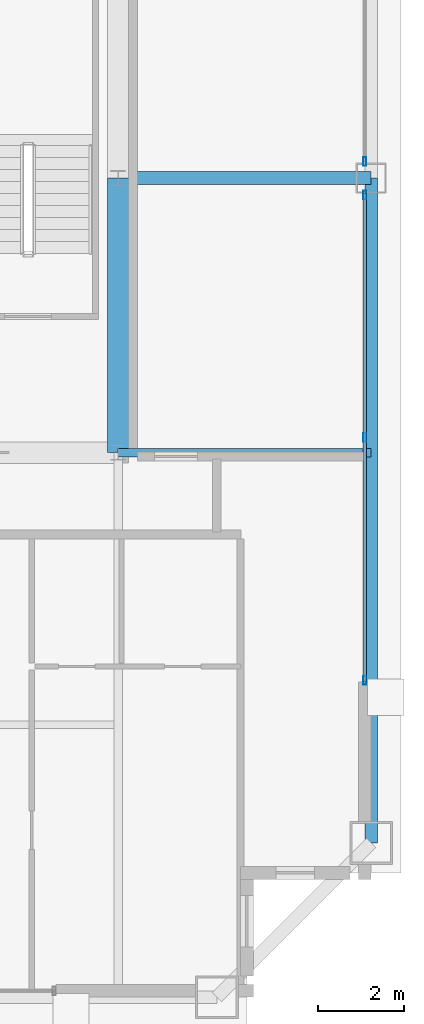
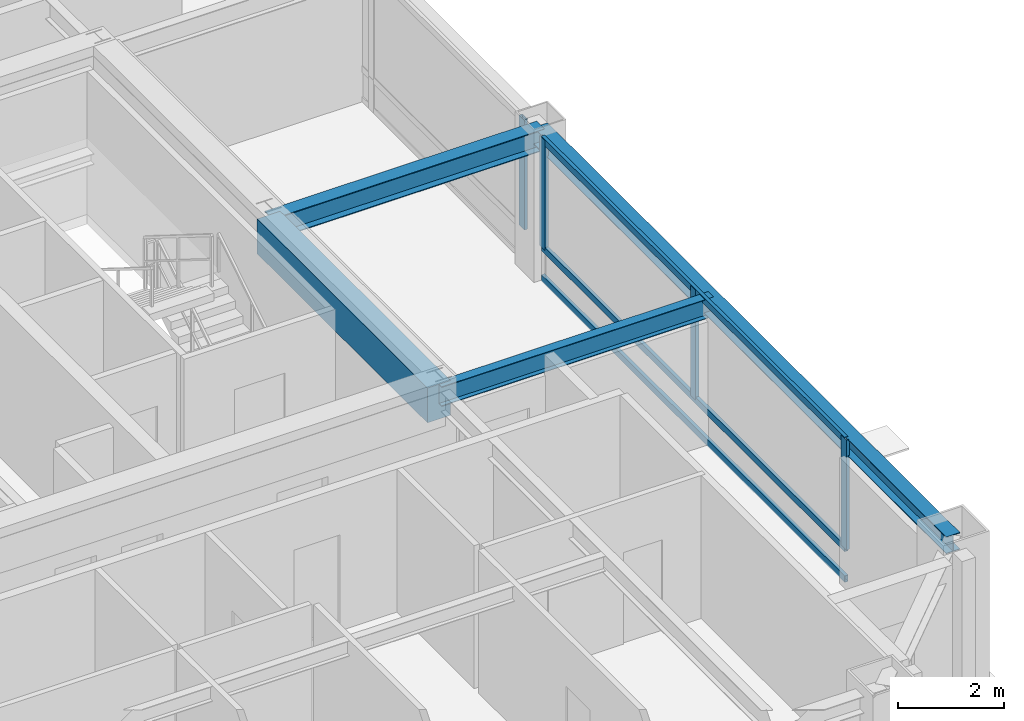
# One storey, part 14 of 34: 7 members, 4 beams, 2 elements without a shape of their own.
"""IFC4 building model written with IfcOpenShell, lengths in metres."""

from ifc_helpers import new_model, si_unit, direction, frame, origin, origin_2d, place, context, subcontext, project, spatial, rectangle, hollow_rectangle, i_section, extrude, source, transform, mapped, material, layer, layer_set, material_profile, profile_set, type_object, element, aggregate, save


model = new_model("IFC4")

# Units and contexts
model_context = context("Model", 3, precision=1e-05, world=origin(), true_north=direction((0.0, 1.0)))
body_context = subcontext(model_context, "Body", "Model", "MODEL_VIEW")
ifc_project = project(units=[si_unit("LENGTHUNIT", "METRE"), si_unit("AREAUNIT", "SQUARE_METRE"), si_unit("VOLUMEUNIT", "CUBIC_METRE"), si_unit("PLANEANGLEUNIT", "RADIAN"), si_unit("MASSUNIT", "GRAM", prefix="KILO"), si_unit("THERMODYNAMICTEMPERATUREUNIT", "KELVIN"), si_unit("POWERUNIT", "WATT")], contexts=[model_context])

# Site, building, storey
site_placement = place(None, origin())
site = spatial("IfcSite", under=ifc_project, at=site_placement, CompositionType="ELEMENT")
building_placement = place(site_placement, origin())
building = spatial("IfcBuilding", under=site, at=building_placement, Name="Yuzanri Waterfront Tower", CompositionType="ELEMENT")
storey_placement = place(building_placement, frame((0.0, 0.0, 325.199951171875)))
storey = spatial("IfcBuildingStorey", under=building, at=storey_placement, Name="L87", CompositionType="ELEMENT", Elevation=325.199951171875)

# Beams
ifc_material_1 = material(Name="Concrete C50", Category="concrete")
ifc_material_profile_1 = material_profile(ifc_material_1, rectangle(XDim=0.5, YDim=0.800048828125, at=origin_2d()), Name="RC 500x800")
ifc_profile_set_1 = profile_set([ifc_material_profile_1], Name="Concrete C50")
beam_type_1 = type_object("IfcBeamType", Name="Core Coupling Lintel Concrete C50 500x800", PredefinedType="LINTEL", material=ifc_profile_set_1)
shared_shape_1 = source(origin(), body_context, "Body", "SweptSolid", [
    extrude(rectangle(XDim=0.5, YDim=0.800048828125, at=origin_2d()), origin(), (0.0, 0.0, 1.0), 6.400146484375),
])
beam_1_placement = place(storey_placement, frame((50.199951171875, 19.39990234375, 2.880126953125), z_axis=(0.0, 1.0, 0.0), x_axis=(-1.0, 0.0, 0.0)))
element("IfcBeam", 1, at=beam_1_placement, inside=storey, type_object=beam_type_1, Name="L87 Core Tie Beam CE1", PredefinedType="LINTEL", context=body_context, shape_type="MappedRepresentation", body=[
    mapped(shared_shape_1, transform((0.0, 0.0, 0.0), scale=1.0)),
])
ifc_material_2 = material(Name="Steel Q355B", Category="steel")
ifc_material_profile_2 = material_profile(ifc_material_2, i_section(OverallWidth=0.300048828125, OverallDepth=0.389892578125, WebThickness=0.010009765625, FlangeThickness=0.01611328125, at=origin_2d()), Name="HM 390x300x10x16")
ifc_profile_set_2 = profile_set([ifc_material_profile_2], Name="Steel Q355B")
beam_type_2 = type_object("IfcBeamType", Name="Perimeter Spandrel Q355B HM 390x300", PredefinedType="SPANDREL", material=ifc_profile_set_2)
shared_shape_2 = source(origin(), body_context, "Body", "SweptSolid", [
    extrude(i_section(OverallWidth=0.300048828125, OverallDepth=0.389892578125, WebThickness=0.010009765625, FlangeThickness=0.01611328125, at=origin_2d()), origin(), (0.0, 0.0, 1.0), 15.5),
])
beam_2_placement = place(storey_placement, frame((56.10009765625, 10.300048828125, 3.0849609375), z_axis=(0.0, 1.0, 0.0), x_axis=(-1.0, 0.0, 0.0)))
element("IfcBeam", 2, at=beam_2_placement, inside=storey, type_object=beam_type_2, Name="L87 Perimeter Spandrel E1-E2", PredefinedType="SPANDREL", context=body_context, shape_type="MappedRepresentation", body=[
    mapped(shared_shape_2, transform((0.0, 0.0, 0.0), scale=1.0)),
])
ifc_material_3 = material(Name="Steel Q355B", Category="steel")
ifc_material_profile_3 = material_profile(ifc_material_3, i_section(OverallWidth=0.300048828125, OverallDepth=0.488037109375, WebThickness=0.010986328125, FlangeThickness=0.01806640625, at=origin_2d()), Name="HM 488x300x11x18")
ifc_profile_set_3 = profile_set([ifc_material_profile_3], Name="Steel Q355B")
beam_type_3 = type_object("IfcBeamType", Name="Primary Floor Girder Q355B HM 488x300", PredefinedType="BEAM", material=ifc_profile_set_3)
shared_shape_3 = source(origin(), body_context, "Body", "SweptSolid", [
    extrude(i_section(OverallWidth=0.300048828125, OverallDepth=0.488037109375, WebThickness=0.010986328125, FlangeThickness=0.01806640625, at=origin_2d()), origin(), (0.0, 0.0, 1.0), 5.900146484375),
])
beam_3_placement = place(storey_placement, frame((50.199951171875, 25.800048828125, 3.0361328125), z_axis=(1.0, 0.0, 0.0), x_axis=(0.0, 1.0, 0.0)))
element("IfcBeam", 3, at=beam_3_placement, inside=storey, type_object=beam_type_3, Name="L87 East Grid Girder", PredefinedType="BEAM", context=body_context, shape_type="MappedRepresentation", body=[
    mapped(shared_shape_3, transform((0.0, 0.0, 0.0), scale=1.0)),
])
ifc_material_4 = material(Name="Steel Q355B", Category="steel")
ifc_material_profile_4 = material_profile(ifc_material_4, i_section(OverallWidth=0.199951171875, OverallDepth=0.449951171875, WebThickness=0.009033203125, FlangeThickness=0.013916015625, at=origin_2d()), Name="HN 450x200x9x14")
ifc_profile_set_4 = profile_set([ifc_material_profile_4], Name="Steel Q355B")
beam_type_4 = type_object("IfcBeamType", Name="Secondary Floor Beam Q355B HN 450x200", PredefinedType="BEAM", material=ifc_profile_set_4)
shared_shape_4 = source(origin(), body_context, "Body", "SweptSolid", [
    extrude(i_section(OverallWidth=0.199951171875, OverallDepth=0.449951171875, WebThickness=0.009033203125, FlangeThickness=0.013916015625, at=origin_2d()), origin(), (0.0, 0.0, 1.0), 5.900146484375),
])
beam_4_placement = place(storey_placement, frame((50.199951171875, 19.39990234375, 3.054931640625), z_axis=(1.0, 0.0, 0.0), x_axis=(0.0, 1.0, 0.0)))
element("IfcBeam", 4, at=beam_4_placement, inside=storey, type_object=beam_type_4, Name="L87 East-South Core Line Beam", PredefinedType="BEAM", context=body_context, shape_type="MappedRepresentation", body=[
    mapped(shared_shape_4, transform((0.0, 0.0, 0.0), scale=1.0)),
])

# Curtain wall, members
ifc_material_5 = material(Name="Anodized Architectural Bronze", Category="metal")
ifc_layer = layer(ifc_material_5, 0.159912109375)
ifc_layer_set = layer_set([ifc_layer], Name="Anodized Architectural Bronze")
curtain_wall_type = type_object("IfcCurtainWallType", Name="Anodized Bronze High-Rise Penthouse High-Wind Unitized Curtain Wall 6900", PredefinedType="NOTDEFINED", material=ifc_layer_set)
curtain_wall_1_placement = place(storey_placement, origin())
curtain_wall_1 = element("IfcCurtainWall", 5, at=curtain_wall_1_placement, inside=storey, type_object=curtain_wall_type, Name="L87 Curtain Wall CW-L87-EL", PredefinedType="NOTDEFINED")
ifc_material_6 = material(Name="Anodized Architectural Bronze", Category="metal")
ifc_material_profile_5 = material_profile(ifc_material_6, hollow_rectangle(XDim=0.074951171875, YDim=0.199951171875, WallThickness=0.00390625, at=origin_2d()), Name="CWM 75x200")
ifc_profile_set_5 = profile_set([ifc_material_profile_5], Name="Anodized Architectural Bronze")
member_type_1 = type_object("IfcMemberType", Name="Anodized Bronze Primary Curtain-Wall Mullion 75x200", PredefinedType="MULLION", material=ifc_profile_set_5)
shared_shape_5 = source(origin(), body_context, "Body", "SweptSolid", [
    extrude(hollow_rectangle(XDim=0.074951171875, YDim=0.199951171875, WallThickness=0.00390625, at=origin_2d()), origin(), (0.0, 0.0, 1.0), 2.52392578125),
])
member_1_placement = place(storey_placement, frame((55.949951171875, 14.090087890625, 0.756103515625), z_axis=(0.0, 0.0, 1.0), x_axis=(1.0, 0.0, 0.0)))
member_1 = element("IfcMember", 6, at=member_1_placement, type_object=member_type_1, Name="CW-L87-EL Upper Mullion 00", PredefinedType="MULLION", context=body_context, shape_type="MappedRepresentation", body=[
    mapped(shared_shape_5, transform((0.0, 0.0, 0.0), scale=1.0)),
])
member_2_placement = place(storey_placement, frame((55.949951171875, 19.75, 0.756103515625), z_axis=(0.0, 0.0, 1.0), x_axis=(1.0, 0.0, 0.0)))
member_2 = element("IfcMember", 7, at=member_2_placement, type_object=member_type_1, Name="CW-L87-EL Upper Mullion 01", PredefinedType="MULLION", context=body_context, shape_type="MappedRepresentation", body=[
    mapped(shared_shape_5, transform((0.0, 0.0, 0.0), scale=1.0)),
])
member_3_placement = place(storey_placement, frame((55.949951171875, 25.409912109375, 0.756103515625), z_axis=(0.0, 0.0, 1.0), x_axis=(1.0, 0.0, 0.0)))
member_3 = element("IfcMember", 8, at=member_3_placement, type_object=member_type_1, Name="CW-L87-EL Upper Mullion 02", PredefinedType="MULLION", context=body_context, shape_type="MappedRepresentation", body=[
    mapped(shared_shape_5, transform((0.0, 0.0, 0.0), scale=1.0)),
])

# Curtain wall, member
curtain_wall_2_placement = place(storey_placement, origin())
curtain_wall_2 = element("IfcCurtainWall", 9, at=curtain_wall_2_placement, inside=storey, type_object=curtain_wall_type, Name="L87 Curtain Wall CW-L87-ER", PredefinedType="NOTDEFINED")
member_4_placement = place(storey_placement, frame((55.949951171875, 26.18994140625, 0.756103515625), z_axis=(0.0, 0.0, 1.0), x_axis=(1.0, 0.0, 0.0)))
member_4 = element("IfcMember", 10, at=member_4_placement, type_object=member_type_1, Name="CW-L87-ER Upper Mullion 00", PredefinedType="MULLION", context=body_context, shape_type="MappedRepresentation", body=[
    mapped(shared_shape_5, transform((0.0, 0.0, 0.0), scale=1.0)),
])
aggregate(curtain_wall_2, [member_4])

# Member
ifc_material_7 = material(Name="Anodized Architectural Bronze", Category="metal")
ifc_material_profile_6 = material_profile(ifc_material_7, hollow_rectangle(XDim=0.074951171875, YDim=0.14990234375, WallThickness=0.00390625, at=origin_2d()), Name="CWT 75x150")
ifc_profile_set_6 = profile_set([ifc_material_profile_6], Name="Anodized Architectural Bronze")
member_type_2 = type_object("IfcMemberType", Name="Anodized Bronze Primary Curtain-Wall Transom 75x150", PredefinedType="USERDEFINED", material=ifc_profile_set_6)
shared_shape_6 = source(origin(), body_context, "Body", "SweptSolid", [
    extrude(hollow_rectangle(XDim=0.074951171875, YDim=0.14990234375, WallThickness=0.00390625, at=origin_2d()), origin(), (0.0, 0.0, 1.0), 11.39990234375),
])
member_5_placement = place(storey_placement, frame((55.949951171875, 14.050048828125, 0.050048828125), z_axis=(0.0, 1.0, 0.0), x_axis=(-1.0, 0.0, 0.0)))
member_5 = element("IfcMember", 11, at=member_5_placement, type_object=member_type_2, Name="CW-L87-EL Transom 1", ObjectType="TRANSOM", PredefinedType="USERDEFINED", context=body_context, shape_type="MappedRepresentation", body=[
    mapped(shared_shape_6, transform((0.0, 0.0, 0.0), scale=1.0)),
])

member_6_placement = place(storey_placement, frame((55.949951171875, 14.050048828125, 0.754150390625), z_axis=(0.0, 1.0, 0.0), x_axis=(-1.0, 0.0, 0.0)))
member_6 = element("IfcMember", 12, at=member_6_placement, type_object=member_type_2, Name="CW-L87-EL Transom 2", ObjectType="TRANSOM", PredefinedType="USERDEFINED", context=body_context, shape_type="MappedRepresentation", body=[
    mapped(shared_shape_6, transform((0.0, 0.0, 0.0), scale=1.0)),
])

member_7_placement = place(storey_placement, frame((55.949951171875, 14.050048828125, 3.22998046875), z_axis=(0.0, 1.0, 0.0), x_axis=(-1.0, 0.0, 0.0)))
member_7 = element("IfcMember", 13, at=member_7_placement, type_object=member_type_2, Name="CW-L87-EL Transom 3", ObjectType="TRANSOM", PredefinedType="USERDEFINED", context=body_context, shape_type="MappedRepresentation", body=[
    mapped(shared_shape_6, transform((0.0, 0.0, 0.0), scale=1.0)),
])

aggregate(curtain_wall_1, [member_1, member_2, member_3, member_5, member_6, member_7])

save(model, "model.ifc")
